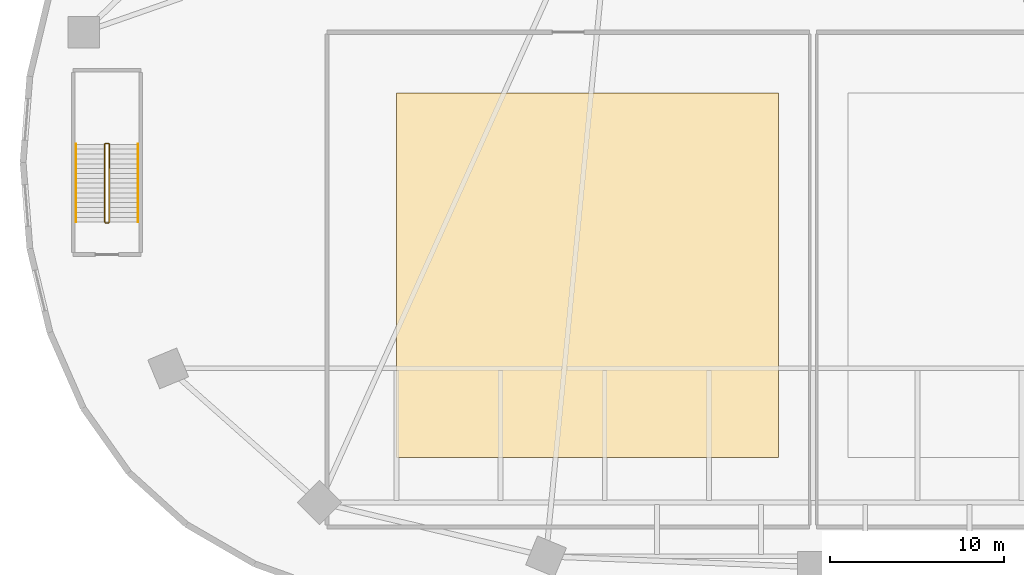
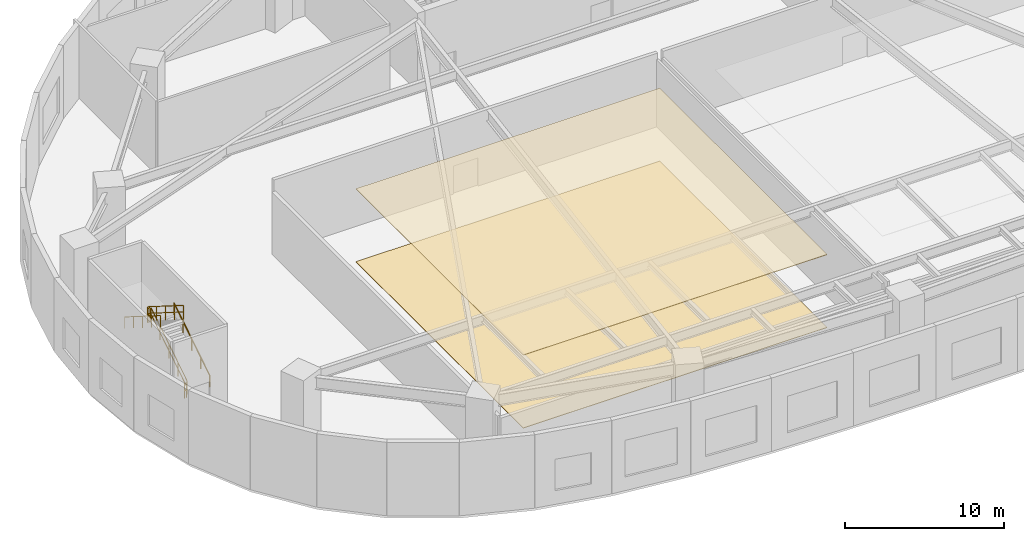
# One storey, part 7 of 10: 6 railings, 2 coverings.
"""IFC4 building model written with IfcOpenShell, lengths in metres."""

from ifc_helpers import new_model, si_unit, direction, frame, origin, origin_2d, place, context, subcontext, project, spatial, polyline, rectangle, outline, extrude, material, layer, layer_set, type_object, element, save


model = new_model("IFC4")

# Units and contexts
model_context = context("Model", 3, precision=1e-05, world=origin(), true_north=direction((0.0, 1.0)))
body_context = subcontext(model_context, "Body", "Model", "MODEL_VIEW")
ifc_project = project(units=[si_unit("LENGTHUNIT", "METRE"), si_unit("AREAUNIT", "SQUARE_METRE"), si_unit("VOLUMEUNIT", "CUBIC_METRE"), si_unit("PLANEANGLEUNIT", "RADIAN"), si_unit("MASSUNIT", "GRAM", prefix="KILO")], contexts=[model_context])

# Site, building, storey
site_placement = place(None, origin())
site = spatial("IfcSite", under=ifc_project, at=site_placement, CompositionType="ELEMENT")
building_placement = place(site_placement, origin())
building = spatial("IfcBuilding", under=site, at=building_placement, Name="Breltana Convention Tower", CompositionType="ELEMENT")
storey_placement = place(building_placement, frame((0.0, 0.0, 18.0)))
storey = spatial("IfcBuildingStorey", under=building, at=storey_placement, Name="L03", CompositionType="ELEMENT", Elevation=18.0)

# Coverings
ifc_material_1 = material(Name="Gypsum Micro-Perforated Acoustic Ceiling")
ifc_layer_1 = layer(ifc_material_1, 0.044921875, Name="Gypsum Micro-Perforated Acoustic Ceiling")
ifc_layer_set_1 = layer_set([ifc_layer_1], Name="Gypsum Micro-Perforated Acoustic Ceiling")
covering_type_1 = type_object("IfcCoveringType", Name="COV-CEIL-ACOUSTIC-45", PredefinedType="CEILING", material=ifc_layer_set_1)
covering_1_placement = place(storey_placement, frame((0.0, 0.0, 5.574951171875)))
element("IfcCovering", 1, at=covering_1_placement, inside=storey, type_object=covering_type_1, Name="L03 hall acoustic ceiling 6", PredefinedType="CEILING", context=body_context, shape_type="SweptSolid", body=[
    extrude(outline(polyline([(24.0, 25.0), (46.0, 25.0), (46.0, 46.0), (24.0, 46.0), (24.0, 25.0)])), origin(), (0.0, 0.0, 1.0), 0.045166015625),
])
ifc_material_2 = material(Name="Warm Buff Limestone Terrazzo Flooring", Category="masonry")
ifc_layer_2 = layer(ifc_material_2, 0.034912109375, Name="Warm Buff Limestone Terrazzo Flooring")
ifc_layer_set_2 = layer_set([ifc_layer_2], Name="Warm Buff Limestone Terrazzo Flooring")
covering_type_2 = type_object("IfcCoveringType", Name="COV-FLOOR-TERRAZZO-35", PredefinedType="FLOORING", material=ifc_layer_set_2)
covering_2_placement = place(storey_placement, origin())
element("IfcCovering", 2, at=covering_2_placement, inside=storey, type_object=covering_type_2, Name="L03 hall limestone terrazzo flooring 6", PredefinedType="FLOORING", context=body_context, shape_type="SweptSolid", body=[
    extrude(outline(polyline([(24.0, 25.0), (46.0, 25.0), (46.0, 46.0), (24.0, 46.0), (24.0, 25.0)])), origin(), (0.0, 0.0, 1.0), 0.034912109375),
])

# Railings
ifc_material_3 = material(Name="Steel S275 Painted", Category="steel")
railing_type_1 = type_object("IfcRailingType", Name="RL-STAIR-GUARD-1100", PredefinedType="GUARDRAIL", material=ifc_material_3)
railing_1_placement = place(storey_placement, frame((7.4599609375, 38.56005859375, 0.176513671875)))
element("IfcRailing", 3, at=railing_1_placement, inside=storey, type_object=railing_type_1, Name="L03 ST-3 stair guard 1", PredefinedType="GUARDRAIL", context=body_context, shape_type="SweptSolid", body=[
    extrude(rectangle(XDim=0.048095703125, YDim=0.048095703125, at=origin_2d()), frame((0.0, 0.0, 1.076171875), z_axis=(0.0, 0.845997938375, 0.533186166611), x_axis=(-1.0, 0.0, 0.0)), (0.0, 0.0, 1.0), 5.29541015625),
    extrude(rectangle(XDim=0.048095703125, YDim=0.048095703125, at=origin_2d()), frame((0.0, 0.0, 0.572021484375), z_axis=(0.0, 0.845997938375, 0.533186166611), x_axis=(-1.0, 0.0, 0.0)), (0.0, 0.0, 1.0), 5.29541015625),
    extrude(rectangle(XDim=0.0419921875, YDim=0.0419921875, at=origin_2d()), origin(), (0.0, 0.0, 1.0), 1.052001953125),
    extrude(rectangle(XDim=0.0419921875, YDim=0.0419921875, at=origin_2d()), frame((0.0, 1.1201171875, 0.705810546875)), (0.0, 0.0, 1.0), 1.052001953125),
    extrude(rectangle(XDim=0.0419921875, YDim=0.0419921875, at=origin_2d()), frame((0.0, 2.239990234375, 1.41162109375)), (0.0, 0.0, 1.0), 1.052001953125),
    extrude(rectangle(XDim=0.0419921875, YDim=0.0419921875, at=origin_2d()), frame((0.0, 3.35986328125, 2.11767578125)), (0.0, 0.0, 1.0), 1.052001953125),
    extrude(rectangle(XDim=0.0419921875, YDim=0.0419921875, at=origin_2d()), frame((0.0, 4.47998046875, 2.823486328125)), (0.0, 0.0, 1.0), 1.052001953125),
])
railing_2_placement = place(storey_placement, frame((7.409912109375, 43.090087890625, 3.0)))
element("IfcRailing", 4, at=railing_2_placement, inside=storey, type_object=railing_type_1, Name="L03 ST-3 stair guard 2", PredefinedType="GUARDRAIL", context=body_context, shape_type="SweptSolid", body=[
    extrude(rectangle(XDim=0.048095703125, YDim=0.048095703125, at=origin_2d()), frame((0.0, 0.0, 1.076171875), z_axis=(-1.0, 0.0, 0.0), x_axis=(0.0, -1.0, 0.0)), (0.0, 0.0, 1.0), 0.14990234375),
    extrude(rectangle(XDim=0.048095703125, YDim=0.048095703125, at=origin_2d()), frame((0.0, 0.0, 0.572021484375), z_axis=(-1.0, 0.0, 0.0), x_axis=(0.0, -1.0, 0.0)), (0.0, 0.0, 1.0), 0.14990234375),
    extrude(rectangle(XDim=0.0419921875, YDim=0.0419921875, at=origin_2d()), origin(), (0.0, 0.0, 1.0), 1.052001953125),
    extrude(rectangle(XDim=0.0419921875, YDim=0.0419921875, at=origin_2d()), frame((-0.14990234375, 0.0, 0.0)), (0.0, 0.0, 1.0), 1.052001953125),
])
railing_3_placement = place(storey_placement, frame((7.2099609375, 43.0400390625, 3.176513671875)))
element("IfcRailing", 5, at=railing_3_placement, inside=storey, type_object=railing_type_1, Name="L03 ST-3 stair guard 3", PredefinedType="GUARDRAIL", context=body_context, shape_type="SweptSolid", body=[
    extrude(rectangle(XDim=0.048095703125, YDim=0.048095703125, at=origin_2d()), frame((0.0, 0.0, 1.076171875), z_axis=(0.0, -0.845997938375, 0.533186166611), x_axis=(1.0, 0.0, 0.0)), (0.0, 0.0, 1.0), 5.29541015625),
    extrude(rectangle(XDim=0.048095703125, YDim=0.048095703125, at=origin_2d()), frame((0.0, 0.0, 0.572021484375), z_axis=(0.0, -0.845997938375, 0.533186166611), x_axis=(1.0, 0.0, 0.0)), (0.0, 0.0, 1.0), 5.29541015625),
    extrude(rectangle(XDim=0.0419921875, YDim=0.0419921875, at=origin_2d()), origin(), (0.0, 0.0, 1.0), 1.052001953125),
    extrude(rectangle(XDim=0.0419921875, YDim=0.0419921875, at=origin_2d()), frame((0.0, -1.1201171875, 0.705810546875)), (0.0, 0.0, 1.0), 1.052001953125),
    extrude(rectangle(XDim=0.0419921875, YDim=0.0419921875, at=origin_2d()), frame((0.0, -2.239990234375, 1.41162109375)), (0.0, 0.0, 1.0), 1.052001953125),
    extrude(rectangle(XDim=0.0419921875, YDim=0.0419921875, at=origin_2d()), frame((0.0, -3.35986328125, 2.11767578125)), (0.0, 0.0, 1.0), 1.052001953125),
    extrude(rectangle(XDim=0.0419921875, YDim=0.0419921875, at=origin_2d()), frame((0.0, -4.47998046875, 2.823486328125)), (0.0, 0.0, 1.0), 1.052001953125),
])
railing_4_placement = place(storey_placement, frame((7.409912109375, 38.510009765625, 0.0)))
element("IfcRailing", 6, at=railing_4_placement, inside=storey, type_object=railing_type_1, Name="L03 ST-3 stair guard 4", PredefinedType="GUARDRAIL", context=body_context, shape_type="SweptSolid", body=[
    extrude(rectangle(XDim=0.048095703125, YDim=0.048095703125, at=origin_2d()), frame((0.0, 0.0, 1.076171875), z_axis=(-1.0, 0.0, 0.0), x_axis=(0.0, -1.0, 0.0)), (0.0, 0.0, 1.0), 0.14990234375),
    extrude(rectangle(XDim=0.048095703125, YDim=0.048095703125, at=origin_2d()), frame((0.0, 0.0, 0.572021484375), z_axis=(-1.0, 0.0, 0.0), x_axis=(0.0, -1.0, 0.0)), (0.0, 0.0, 1.0), 0.14990234375),
    extrude(rectangle(XDim=0.0419921875, YDim=0.0419921875, at=origin_2d()), origin(), (0.0, 0.0, 1.0), 1.052001953125),
    extrude(rectangle(XDim=0.0419921875, YDim=0.0419921875, at=origin_2d()), frame((-0.14990234375, 0.0, 0.0)), (0.0, 0.0, 1.0), 1.052001953125),
])
ifc_material_4 = material(Name="Stainless Steel 316L", Category="steel")
railing_type_2 = type_object("IfcRailingType", Name="RL-STAIR-HANDRAIL-900", PredefinedType="HANDRAIL", material=ifc_material_4)
railing_5_placement = place(storey_placement, frame((9.1201171875, 38.56005859375, 0.176513671875)))
element("IfcRailing", 7, at=railing_5_placement, inside=storey, type_object=railing_type_2, Name="L03 ST-3 stair handrail 1", PredefinedType="HANDRAIL", context=body_context, shape_type="SweptSolid", body=[
    extrude(rectangle(XDim=0.048095703125, YDim=0.048095703125, at=origin_2d()), frame((0.0, 0.0, 0.8759765625), z_axis=(0.0, 0.845997938375, 0.533186166611), x_axis=(-1.0, 0.0, 0.0)), (0.0, 0.0, 1.0), 5.29541015625),
    extrude(rectangle(XDim=0.0419921875, YDim=0.0419921875, at=origin_2d()), origin(), (0.0, 0.0, 1.0), 0.851806640625),
    extrude(rectangle(XDim=0.0419921875, YDim=0.0419921875, at=origin_2d()), frame((0.0, 1.1201171875, 0.705810546875)), (0.0, 0.0, 1.0), 0.851806640625),
    extrude(rectangle(XDim=0.0419921875, YDim=0.0419921875, at=origin_2d()), frame((0.0, 2.239990234375, 1.41162109375)), (0.0, 0.0, 1.0), 0.851806640625),
    extrude(rectangle(XDim=0.0419921875, YDim=0.0419921875, at=origin_2d()), frame((0.0, 3.35986328125, 2.11767578125)), (0.0, 0.0, 1.0), 0.851806640625),
    extrude(rectangle(XDim=0.0419921875, YDim=0.0419921875, at=origin_2d()), frame((0.0, 4.47998046875, 2.823486328125)), (0.0, 0.0, 1.0), 0.851806640625),
])
railing_6_placement = place(storey_placement, frame((5.550048828125, 43.0400390625, 3.176513671875)))
element("IfcRailing", 8, at=railing_6_placement, inside=storey, type_object=railing_type_2, Name="L03 ST-3 stair handrail 2", PredefinedType="HANDRAIL", context=body_context, shape_type="SweptSolid", body=[
    extrude(rectangle(XDim=0.048095703125, YDim=0.048095703125, at=origin_2d()), frame((0.0, 0.0, 0.8759765625), z_axis=(0.0, -0.845997938375, 0.533186166611), x_axis=(1.0, 0.0, 0.0)), (0.0, 0.0, 1.0), 5.29541015625),
    extrude(rectangle(XDim=0.0419921875, YDim=0.0419921875, at=origin_2d()), origin(), (0.0, 0.0, 1.0), 0.851806640625),
    extrude(rectangle(XDim=0.0419921875, YDim=0.0419921875, at=origin_2d()), frame((0.0, -1.1201171875, 0.705810546875)), (0.0, 0.0, 1.0), 0.851806640625),
    extrude(rectangle(XDim=0.0419921875, YDim=0.0419921875, at=origin_2d()), frame((0.0, -2.239990234375, 1.41162109375)), (0.0, 0.0, 1.0), 0.851806640625),
    extrude(rectangle(XDim=0.0419921875, YDim=0.0419921875, at=origin_2d()), frame((0.0, -3.35986328125, 2.11767578125)), (0.0, 0.0, 1.0), 0.851806640625),
    extrude(rectangle(XDim=0.0419921875, YDim=0.0419921875, at=origin_2d()), frame((0.0, -4.47998046875, 2.823486328125)), (0.0, 0.0, 1.0), 0.851806640625),
])

save(model, "model.ifc")
